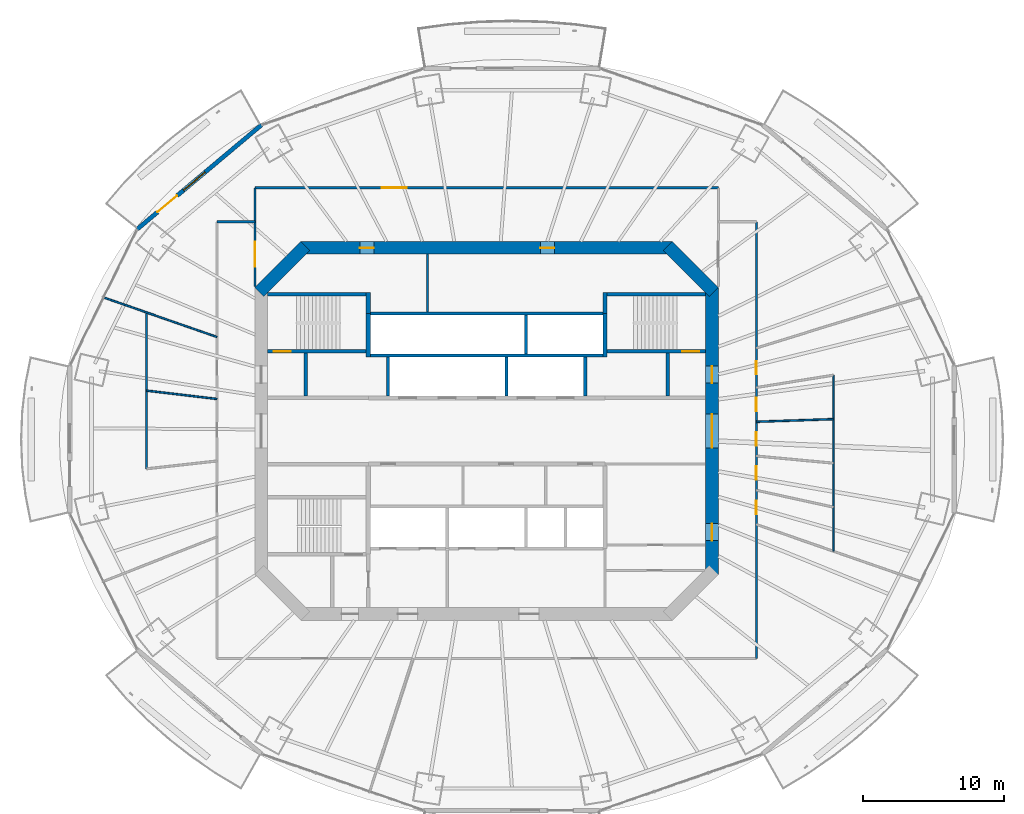
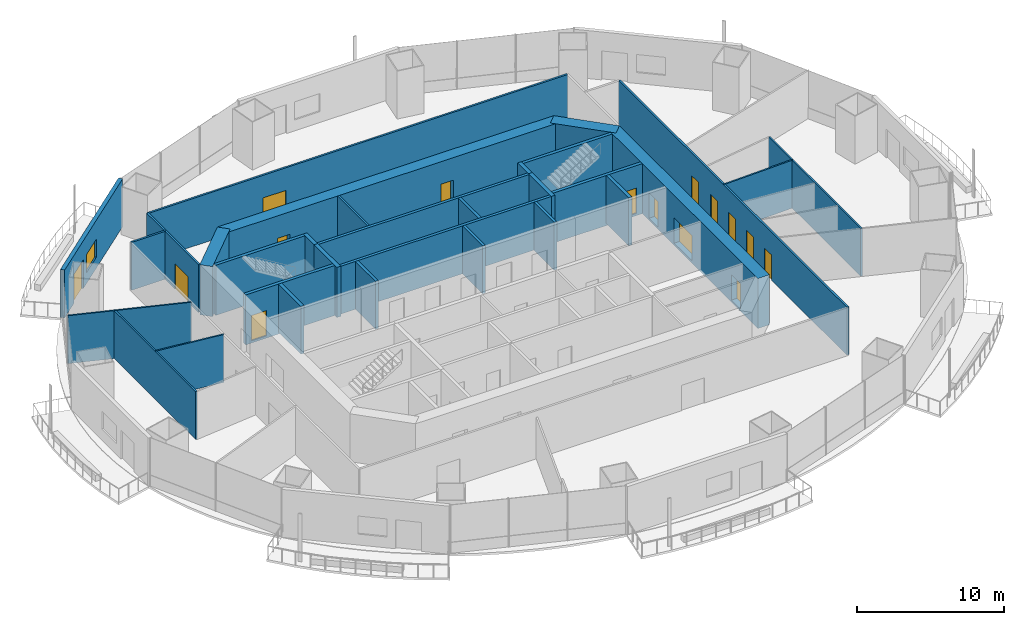
# One storey, part 13 of 20: 31 walls, 15 doors, 1 window, 16 openings.
"""IFC4 building model written with IfcOpenShell, lengths in metres."""

from ifc_helpers import new_model, si_unit, direction, frame, frame_2d, origin, place, context, subcontext, project, spatial, rectangle, extrude, material, layer, layer_set, type_object, element, fill, save


model = new_model("IFC4")

# Units and contexts
model_context = context("Model", 3, precision=1e-05, world=origin(), true_north=direction((0.0, 1.0)))
body_context = subcontext(model_context, "Body", "Model", "MODEL_VIEW")
ifc_project = project(units=[si_unit("LENGTHUNIT", "METRE"), si_unit("AREAUNIT", "SQUARE_METRE"), si_unit("VOLUMEUNIT", "CUBIC_METRE"), si_unit("PLANEANGLEUNIT", "RADIAN"), si_unit("MASSUNIT", "GRAM", prefix="KILO")], contexts=[model_context])

# Site, building, storey
site_placement = place(None, origin())
site = spatial("IfcSite", under=ifc_project, at=site_placement, CompositionType="ELEMENT")
building_placement = place(site_placement, origin())
building = spatial("IfcBuilding", under=site, at=building_placement, Name="Marenthal Gate Tower", CompositionType="ELEMENT")
storey_placement = place(building_placement, frame((0.0, 0.0, 190.10009765625)))
storey = spatial("IfcBuildingStorey", under=building, at=storey_placement, Name="L41", CompositionType="ELEMENT", Elevation=190.10009765625)

# Wall, openings, doors
ifc_material_1 = material(Name="Concrete 60 MPa", Category="concrete")
ifc_layer_1 = layer(ifc_material_1, 0.89990234375)
ifc_layer_set_1 = layer_set([ifc_layer_1], Name="Core shear wall 900")
wall_type_1 = type_object("IfcWallType", Name="Core shear wall 900", PredefinedType="SHEAR", material=ifc_layer_set_1)
wall_1_placement = place(storey_placement, frame((16.0, -10.186279296875, -0.18017578125), z_axis=(0.0, 0.0, 1.0), x_axis=(0.0, 1.0, 0.0)))
wall_1 = element("IfcWall", 1, at=wall_1_placement, inside=storey, type_object=wall_type_1, Name="Core wall 02", PredefinedType="SHEAR", context=body_context, shape_type="SweptSolid", body=[
    extrude(rectangle(XDim=20.37255859375, YDim=0.89990234375, at=frame_2d((10.186279296875, 0.0))), origin(), (0.0, 0.0, 1.0), 4.150146484375),
])
opening_1_placement = place(wall_1_placement, frame((8.986328125, 0.0, 0.179931640625)))
opening_1 = element("IfcOpeningElement", 2, at=opening_1_placement, cuts=wall_1, Name="Opening D003.02", PredefinedType="OPENING", context=body_context, shape_type="SweptSolid", body=[
    extrude(rectangle(XDim=2.39990234375, YDim=2.10009765625, at=frame_2d((1.199951171875, 1.050048828125))), frame((0.0, 0.4599609375, 0.0), z_axis=(0.0, -1.0, 0.0), x_axis=(1.0, 0.0, 0.0)), (0.0, 0.0, 1.0), 0.919921875),
])
opening_2_placement = place(wall_1_placement, frame((13.58642578125, 0.0, 0.179931640625)))
opening_2 = element("IfcOpeningElement", 3, at=opening_2_placement, cuts=wall_1, Name="Opening D001.05", PredefinedType="OPENING", context=body_context, shape_type="SweptSolid", body=[
    extrude(rectangle(XDim=1.199951171875, YDim=2.10009765625, at=frame_2d((0.60009765625, 1.050048828125))), frame((0.0, 0.4599609375, 0.0), z_axis=(0.0, -1.0, 0.0), x_axis=(1.0, 0.0, 0.0)), (0.0, 0.0, 1.0), 0.919921875),
])
opening_3_placement = place(wall_1_placement, frame((2.39990234375, 0.0, 0.179931640625)))
opening_3 = element("IfcOpeningElement", 4, at=opening_3_placement, cuts=wall_1, Name="Opening D006.01", PredefinedType="OPENING", context=body_context, shape_type="SweptSolid", body=[
    extrude(rectangle(XDim=1.199951171875, YDim=2.10009765625, at=frame_2d((0.60009765625, 1.050048828125))), frame((0.0, 0.4599609375, 0.0), z_axis=(0.0, -1.0, 0.0), x_axis=(1.0, 0.0, 0.0)), (0.0, 0.0, 1.0), 0.919921875),
])
ifc_material_2 = material(Name="Steel fire door", Category="steel")
door_type_1 = type_object("IfcDoorType", Name="Double fire door FD 45 2400 x 2100", OperationType="DOUBLE_DOOR_SINGLE_SWING", PredefinedType="DOOR", material=ifc_material_2)
door_1_placement = place(opening_1_placement, origin())
door_1 = element("IfcDoor", 5, at=door_1_placement, inside=storey, type_object=door_type_1, Name="Door D003.02", OperationType="DOUBLE_DOOR_SINGLE_SWING", OverallHeight=2.10009765625, OverallWidth=2.39990234375, PredefinedType="DOOR", context=body_context, shape_type="SweptSolid", body=[
    extrude(rectangle(XDim=2.39990234375, YDim=2.10009765625, at=frame_2d((1.199951171875, 1.050048828125))), frame((0.0, 0.02490234375, 0.0), z_axis=(0.0, -1.0, 0.0), x_axis=(1.0, 0.0, 0.0)), (0.0, 0.0, 1.0), 0.050048828125),
])
fill(opening_1, door_1)
ifc_material_3 = material(Name="Steel fire door", Category="steel")
door_type_2 = type_object("IfcDoorType", Name="Fire door FD 45 1200 x 2100", OperationType="NOTDEFINED", PredefinedType="DOOR", material=ifc_material_3)
door_2_placement = place(opening_3_placement, origin())
door_2 = element("IfcDoor", 6, at=door_2_placement, inside=storey, type_object=door_type_2, Name="Door D006.01", OperationType="SINGLE_SWING_RIGHT", OverallHeight=2.10009765625, OverallWidth=1.199951171875, PredefinedType="DOOR", context=body_context, shape_type="SweptSolid", body=[
    extrude(rectangle(XDim=1.199951171875, YDim=2.10009765625, at=frame_2d((0.60009765625, 1.050048828125))), frame((0.0, 0.02490234375, 0.0), z_axis=(0.0, -1.0, 0.0), x_axis=(1.0, 0.0, 0.0)), (0.0, 0.0, 1.0), 0.050048828125),
])
fill(opening_3, door_2)
ifc_material_4 = material(Name="Steel fire door", Category="steel")
door_type_3 = type_object("IfcDoorType", Name="Fire door FD 90 1200 x 2100", OperationType="NOTDEFINED", PredefinedType="DOOR", material=ifc_material_4)
door_3_placement = place(opening_2_placement, origin())
door_3 = element("IfcDoor", 7, at=door_3_placement, inside=storey, type_object=door_type_3, Name="Door D001.05", OperationType="SINGLE_SWING_RIGHT", OverallHeight=2.10009765625, OverallWidth=1.199951171875, PredefinedType="DOOR", context=body_context, shape_type="SweptSolid", body=[
    extrude(rectangle(XDim=1.199951171875, YDim=2.10009765625, at=frame_2d((0.60009765625, 1.050048828125))), frame((0.0, 0.02490234375, 0.0), z_axis=(0.0, -1.0, 0.0), x_axis=(1.0, 0.0, 0.0)), (0.0, 0.0, 1.0), 0.050048828125),
])
fill(opening_2, door_3)

# Wall
wall_2_placement = place(storey_placement, frame((16.1318359375, 9.8681640625, -0.18017578125), z_axis=(0.0, 0.0, 1.0), x_axis=(-0.707106781187, 0.707106781187, 0.0)))
element("IfcWall", 8, at=wall_2_placement, inside=storey, type_object=wall_type_1, Name="Core wall 03", PredefinedType="SHEAR", context=body_context, shape_type="SweptSolid", body=[
    extrude(rectangle(XDim=4.615478515625, YDim=0.89990234375, at=frame_2d((2.3076171875, 0.0))), origin(), (0.0, 0.0, 1.0), 4.150146484375),
])

# Wall, openings, doors
wall_3_placement = place(storey_placement, frame((13.186279296875, 13.0, -0.18017578125), z_axis=(0.0, 0.0, 1.0), x_axis=(-1.0, 0.0, 0.0)))
wall_3 = element("IfcWall", 9, at=wall_3_placement, inside=storey, type_object=wall_type_1, Name="Core wall 04", PredefinedType="SHEAR", context=body_context, shape_type="SweptSolid", body=[
    extrude(rectangle(XDim=26.37255859375, YDim=0.89990234375, at=frame_2d((13.186279296875, 0.0))), origin(), (0.0, 0.0, 1.0), 4.150146484375),
])
opening_4_placement = place(wall_3_placement, frame((21.193359375, 0.0, 0.179931640625)))
opening_4 = element("IfcOpeningElement", 10, at=opening_4_placement, cuts=wall_3, Name="Opening D005.04", PredefinedType="OPENING", context=body_context, shape_type="SweptSolid", body=[
    extrude(rectangle(XDim=1.0, YDim=2.10009765625, at=frame_2d((0.5, 1.050048828125))), frame((0.0, 0.4599609375, 0.0), z_axis=(0.0, -1.0, 0.0), x_axis=(1.0, 0.0, 0.0)), (0.0, 0.0, 1.0), 0.919921875),
])
opening_5_placement = place(wall_3_placement, frame((8.37939453125, 0.0, 0.179931640625)))
opening_5 = element("IfcOpeningElement", 11, at=opening_5_placement, cuts=wall_3, Name="Opening D005.05", PredefinedType="OPENING", context=body_context, shape_type="SweptSolid", body=[
    extrude(rectangle(XDim=1.0, YDim=2.10009765625, at=frame_2d((0.5, 1.050048828125))), frame((0.0, 0.4599609375, 0.0), z_axis=(0.0, -1.0, 0.0), x_axis=(1.0, 0.0, 0.0)), (0.0, 0.0, 1.0), 0.919921875),
])
ifc_material_5 = material(Name="Steel fire door", Category="steel")
door_type_4 = type_object("IfcDoorType", Name="Fire door FD 45 1000 x 2100", OperationType="NOTDEFINED", PredefinedType="DOOR", material=ifc_material_5)
door_4_placement = place(opening_4_placement, origin())
door_4 = element("IfcDoor", 12, at=door_4_placement, inside=storey, type_object=door_type_4, Name="Door D005.04", OperationType="SINGLE_SWING_RIGHT", OverallHeight=2.10009765625, OverallWidth=1.0, PredefinedType="DOOR", context=body_context, shape_type="SweptSolid", body=[
    extrude(rectangle(XDim=1.0, YDim=2.10009765625, at=frame_2d((0.5, 1.050048828125))), frame((0.0, 0.02490234375, 0.0), z_axis=(0.0, -1.0, 0.0), x_axis=(1.0, 0.0, 0.0)), (0.0, 0.0, 1.0), 0.050048828125),
])
fill(opening_4, door_4)
door_5_placement = place(opening_5_placement, origin())
door_5 = element("IfcDoor", 13, at=door_5_placement, inside=storey, type_object=door_type_4, Name="Door D005.05", OperationType="SINGLE_SWING_RIGHT", OverallHeight=2.10009765625, OverallWidth=1.0, PredefinedType="DOOR", context=body_context, shape_type="SweptSolid", body=[
    extrude(rectangle(XDim=1.0, YDim=2.10009765625, at=frame_2d((0.5, 1.050048828125))), frame((0.0, 0.02490234375, 0.0), z_axis=(0.0, -1.0, 0.0), x_axis=(1.0, 0.0, 0.0)), (0.0, 0.0, 1.0), 0.050048828125),
])
fill(opening_5, door_5)

# Walls
wall_4_placement = place(storey_placement, frame((-12.8681640625, 13.1318359375, -0.18017578125), z_axis=(0.0, 0.0, 1.0), x_axis=(-0.707106781187, -0.707106781187, 0.0)))
element("IfcWall", 14, at=wall_4_placement, inside=storey, type_object=wall_type_1, Name="Core wall 05", PredefinedType="SHEAR", context=body_context, shape_type="SweptSolid", body=[
    extrude(rectangle(XDim=4.615478515625, YDim=0.89990234375, at=frame_2d((2.3076171875, 0.0))), origin(), (0.0, 0.0, 1.0), 4.150146484375),
])
ifc_material_6 = material(Name="Concrete 50 MPa", Category="concrete")
ifc_layer_2 = layer(ifc_material_6, 0.300048828125)
ifc_layer_set_2 = layer_set([ifc_layer_2], Name="Hoistway shear wall 300")
wall_type_2 = type_object("IfcWallType", Name="Hoistway shear wall 300", PredefinedType="SHEAR", material=ifc_layer_set_2)
for number, where, z_axis, x_axis, name in (
    (15, (-8.39990234375, 5.239990234375, -0.18017578125), (0.0, 0.0, 1.0), (0.0, 1.0, 0.0), "Hoistway wall 32"),
    (16, (8.39990234375, 5.239990234375, -0.18017578125), (0.0, 0.0, 1.0), (0.0, 1.0, 0.0), "Hoistway wall 47"),
):
    element("IfcWall", number, at=place(storey_placement, frame(where, z_axis=z_axis, x_axis=x_axis)), inside=storey, type_object=wall_type_2, Name=name, PredefinedType="SHEAR", context=body_context, shape_type="SweptSolid", body=[
        extrude(rectangle(XDim=3.110107421875, YDim=0.300048828125, at=frame_2d((1.55517578125, 0.0))), origin(), (0.0, 0.0, 1.0), 4.150146484375),
    ])
ifc_material_7 = material(Name="Concrete 40 MPa", Category="concrete")
ifc_layer_3 = layer(ifc_material_7, 0.219970703125)
ifc_layer_set_3 = layer_set([ifc_layer_3], Name="Hoistway wall 220")
wall_type_3 = type_object("IfcWallType", Name="Hoistway wall 220", PredefinedType="STANDARD", material=ifc_layer_set_3)
for number, where, z_axis, x_axis, name in (
    (17, (-8.25, 5.35009765625, 0.0), (0.0, 0.0, 1.0), (1.0, 0.0, 0.0), "Hoistway wall 22"),
    (18, (-8.25, 8.35009765625, 0.0), (0.0, 0.0, 1.0), (1.0, 0.0, 0.0), "Hoistway wall 25"),
):
    element("IfcWall", number, at=place(storey_placement, frame(where, z_axis=z_axis, x_axis=x_axis)), inside=storey, type_object=wall_type_3, Name=name, PredefinedType="STANDARD", context=body_context, shape_type="SweptSolid", body=[
        extrude(rectangle(XDim=16.5, YDim=0.219970703125, at=frame_2d((8.25, 0.0))), origin(), (0.0, 0.0, 1.0), 3.969970703125),
    ])
for number, where, z_axis, x_axis, name in (
    (19, (-7.0, 2.5, 0.0), (0.0, 0.0, 1.0), (0.0, 1.0, 0.0), "Hoistway wall 34"),
    (20, (1.39990234375, 2.5, 0.0), (0.0, 0.0, 1.0), (0.0, 1.0, 0.0), "Hoistway wall 39"),
):
    element("IfcWall", number, at=place(storey_placement, frame(where, z_axis=z_axis, x_axis=x_axis)), inside=storey, type_object=wall_type_3, Name=name, PredefinedType="STANDARD", context=body_context, shape_type="SweptSolid", body=[
        extrude(rectangle(XDim=2.739990234375, YDim=0.219970703125, at=frame_2d((1.3701171875, 0.0))), origin(), (0.0, 0.0, 1.0), 3.969970703125),
    ])
wall_5_placement = place(storey_placement, frame((2.800048828125, 5.4599609375, 0.0), z_axis=(0.0, 0.0, 1.0), x_axis=(0.0, 1.0, 0.0)))
element("IfcWall", 21, at=wall_5_placement, inside=storey, type_object=wall_type_3, Name="Hoistway wall 41", PredefinedType="STANDARD", context=body_context, shape_type="SweptSolid", body=[
    extrude(rectangle(XDim=2.780029296875, YDim=0.219970703125, at=frame_2d((1.39013671875, 0.0))), origin(), (0.0, 0.0, 1.0), 3.969970703125),
])
wall_6_placement = place(storey_placement, frame((7.0, 2.5, 0.0), z_axis=(0.0, 0.0, 1.0), x_axis=(0.0, 1.0, 0.0)))
element("IfcWall", 22, at=wall_6_placement, inside=storey, type_object=wall_type_3, Name="Hoistway wall 44", PredefinedType="STANDARD", context=body_context, shape_type="SweptSolid", body=[
    extrude(rectangle(XDim=2.739990234375, YDim=0.219970703125, at=frame_2d((1.3701171875, 0.0))), origin(), (0.0, 0.0, 1.0), 3.969970703125),
])
ifc_material_8 = material(Name="Gypsum board on steel studs", Category="steel")
ifc_layer_4 = layer(ifc_material_8, 0.1201171875)
ifc_layer_set_4 = layer_set([ifc_layer_4], Name="Partition 120")
wall_type_4 = type_object("IfcWallType", Name="Partition 120", PredefinedType="PARTITIONING", material=ifc_layer_set_4)
wall_7_placement = place(storey_placement, frame((-24.14697265625, 2.864013671875, 0.0), z_axis=(0.0, 0.0, 1.0), x_axis=(0.993037544931, -0.117798278244, 0.0)))
element("IfcWall", 23, at=wall_7_placement, inside=storey, type_object=wall_type_4, Name="Partition wall 51", PredefinedType="PARTITIONING", context=body_context, shape_type="SweptSolid", body=[
    extrude(rectangle(XDim=5.0322265625, YDim=0.1201171875, at=frame_2d((2.51611328125, 0.0))), origin(), (0.0, 0.0, 1.0), 3.969970703125),
])
wall_8_placement = place(storey_placement, frame((-24.14697265625, 8.41455078125, 0.0), z_axis=(0.0, 0.0, 1.0), x_axis=(0.0, -1.0, 0.0)))
element("IfcWall", 24, at=wall_8_placement, inside=storey, type_object=wall_type_4, Name="Partition wall 52", PredefinedType="PARTITIONING", context=body_context, shape_type="SweptSolid", body=[
    extrude(rectangle(XDim=11.10107421875, YDim=0.1201171875, at=frame_2d((5.550537109375, 0.0))), origin(), (0.0, 0.0, 1.0), 3.969970703125),
])
wall_9_placement = place(storey_placement, frame((-19.14990234375, 6.673095703125, 0.0), z_axis=(0.0, 0.0, 1.0), x_axis=(-0.944308326955, 0.329061975382, 0.0)))
element("IfcWall", 25, at=wall_9_placement, inside=storey, type_object=wall_type_4, Name="Partition wall 55", PredefinedType="PARTITIONING", context=body_context, shape_type="SweptSolid", body=[
    extrude(rectangle(XDim=8.53515625, YDim=0.1201171875, at=frame_2d((4.267578125, 0.0))), origin(), (0.0, 0.0, 1.0), 3.969970703125),
])
wall_10_placement = place(storey_placement, frame((24.61865234375, -8.535400390625, 0.0), z_axis=(0.0, 0.0, 1.0), x_axis=(0.0, 1.0, 0.0)))
element("IfcWall", 26, at=wall_10_placement, inside=storey, type_object=wall_type_4, Name="Partition wall 66", PredefinedType="PARTITIONING", context=body_context, shape_type="SweptSolid", body=[
    extrude(rectangle(XDim=12.498779296875, YDim=0.1201171875, at=frame_2d((6.24951171875, 0.0))), origin(), (0.0, 0.0, 1.0), 3.969970703125),
])
wall_11_placement = place(storey_placement, frame((24.61865234375, 0.838623046875, 0.0), z_axis=(0.0, 0.0, 1.0), x_axis=(-0.99942037738, -0.034042756605, 0.0)))
element("IfcWall", 27, at=wall_11_placement, inside=storey, type_object=wall_type_4, Name="Partition wall 69", PredefinedType="PARTITIONING", context=body_context, shape_type="SweptSolid", body=[
    extrude(rectangle(XDim=5.471923828125, YDim=0.1201171875, at=frame_2d((2.73583984375, 0.0))), origin(), (0.0, 0.0, 1.0), 3.969970703125),
])
ifc_material_9 = material(Name="Gypsum board on steel studs", Category="steel")
ifc_layer_5 = layer(ifc_material_9, 0.14990234375)
ifc_layer_set_5 = layer_set([ifc_layer_5], Name="Partition 150")
wall_type_5 = type_object("IfcWallType", Name="Partition 150", PredefinedType="PARTITIONING", material=ifc_layer_set_5)
wall_12_placement = place(storey_placement, frame((-4.199951171875, 8.4599609375, 0.0), z_axis=(0.0, 0.0, 1.0), x_axis=(0.0, 1.0, 0.0)))
element("IfcWall", 28, at=wall_12_placement, inside=storey, type_object=wall_type_5, Name="Partition wall 35", PredefinedType="PARTITIONING", context=body_context, shape_type="SweptSolid", body=[
    extrude(rectangle(XDim=4.090087890625, YDim=0.14990234375, at=frame_2d((2.044921875, 0.0))), origin(), (0.0, 0.0, 1.0), 3.969970703125),
])
wall_13_placement = place(storey_placement, frame((-19.14990234375, 14.853759765625, 0.0), z_axis=(0.0, 0.0, 1.0), x_axis=(1.0, 0.0, 0.0)))
element("IfcWall", 29, at=wall_13_placement, inside=storey, type_object=wall_type_5, Name="Partition wall 56", PredefinedType="PARTITIONING", context=body_context, shape_type="SweptSolid", body=[
    extrude(rectangle(XDim=2.699951171875, YDim=0.14990234375, at=frame_2d((1.35009765625, 0.0))), origin(), (0.0, 0.0, 1.0), 3.969970703125),
])

# Wall, opening, door
wall_14_placement = place(storey_placement, frame((-16.449951171875, 10.25, 0.0), z_axis=(0.0, 0.0, 1.0), x_axis=(0.0, 1.0, 0.0)))
wall_14 = element("IfcWall", 30, at=wall_14_placement, inside=storey, type_object=wall_type_5, Name="Partition wall 57", PredefinedType="PARTITIONING", context=body_context, shape_type="SweptSolid", body=[
    extrude(rectangle(XDim=7.01611328125, YDim=0.14990234375, at=frame_2d((3.508056640625, 0.0))), origin(), (0.0, 0.0, 1.0), 3.969970703125),
])
opening_6_placement = place(wall_14_placement, frame((1.402099609375, 0.0, 0.0)))
opening_6 = element("IfcOpeningElement", 31, at=opening_6_placement, cuts=wall_14, Name="Opening D014.05", PredefinedType="OPENING", context=body_context, shape_type="SweptSolid", body=[
    extrude(rectangle(XDim=1.800048828125, YDim=2.10009765625, at=frame_2d((0.89990234375, 1.050048828125))), frame((0.0, 0.0849609375, 0.0), z_axis=(0.0, -1.0, 0.0), x_axis=(1.0, 0.0, 0.0)), (0.0, 0.0, 1.0), 0.169921875),
])
ifc_material_10 = material(Name="Timber door", Category="wood")
door_type_5 = type_object("IfcDoorType", Name="Double door 1800 x 2100", OperationType="DOUBLE_DOOR_SINGLE_SWING", PredefinedType="DOOR", material=ifc_material_10)
door_6_placement = place(opening_6_placement, origin())
door_6 = element("IfcDoor", 32, at=door_6_placement, inside=storey, type_object=door_type_5, Name="Door D014.05", OperationType="DOUBLE_DOOR_SINGLE_SWING", OverallHeight=2.10009765625, OverallWidth=1.800048828125, PredefinedType="DOOR", context=body_context, shape_type="SweptSolid", body=[
    extrude(rectangle(XDim=1.800048828125, YDim=2.10009765625, at=frame_2d((0.89990234375, 1.050048828125))), frame((0.0, 0.02490234375, 0.0), z_axis=(0.0, -1.0, 0.0), x_axis=(1.0, 0.0, 0.0)), (0.0, 0.0, 1.0), 0.050048828125),
])
fill(opening_6, door_6)

wall_15_placement = place(storey_placement, frame((-16.449951171875, 17.26611328125, 0.0), z_axis=(0.0, 0.0, 1.0), x_axis=(1.0, 0.0, 0.0)))
wall_15 = element("IfcWall", 33, at=wall_15_placement, inside=storey, type_object=wall_type_5, Name="Partition wall 58", PredefinedType="PARTITIONING", context=body_context, shape_type="SweptSolid", body=[
    extrude(rectangle(XDim=32.89990234375, YDim=0.14990234375, at=frame_2d((16.449951171875, 0.0))), origin(), (0.0, 0.0, 1.0), 3.969970703125),
])
opening_7_placement = place(wall_15_placement, frame((8.985107421875, 0.0, 0.0)))
opening_7 = element("IfcOpeningElement", 34, at=opening_7_placement, cuts=wall_15, Name="Opening D014.01", PredefinedType="OPENING", context=body_context, shape_type="SweptSolid", body=[
    extrude(rectangle(XDim=1.800048828125, YDim=2.10009765625, at=frame_2d((0.89990234375, 1.050048828125))), frame((0.0, 0.0849609375, 0.0), z_axis=(0.0, -1.0, 0.0), x_axis=(1.0, 0.0, 0.0)), (0.0, 0.0, 1.0), 0.169921875),
])
door_7_placement = place(opening_7_placement, origin())
door_7 = element("IfcDoor", 35, at=door_7_placement, inside=storey, type_object=door_type_5, Name="Door D014.01", OperationType="DOUBLE_DOOR_SINGLE_SWING", OverallHeight=2.10009765625, OverallWidth=1.800048828125, PredefinedType="DOOR", context=body_context, shape_type="SweptSolid", body=[
    extrude(rectangle(XDim=1.800048828125, YDim=2.10009765625, at=frame_2d((0.89990234375, 1.050048828125))), frame((0.0, 0.02490234375, 0.0), z_axis=(0.0, -1.0, 0.0), x_axis=(1.0, 0.0, 0.0)), (0.0, 0.0, 1.0), 0.050048828125),
])
fill(opening_7, door_7)

# Wall, openings, doors
wall_16_placement = place(storey_placement, frame((19.14990234375, 14.853759765625, 0.0), z_axis=(0.0, 0.0, 1.0), x_axis=(0.0, -1.0, 0.0)))
wall_16 = element("IfcWall", 36, at=wall_16_placement, inside=storey, type_object=wall_type_5, Name="Partition wall 65", PredefinedType="PARTITIONING", context=body_context, shape_type="SweptSolid", body=[
    extrude(rectangle(XDim=31.003662109375, YDim=0.14990234375, at=frame_2d((15.501953125, 0.0))), origin(), (0.0, 0.0, 1.0), 3.969970703125),
])
opening_8_placement = place(wall_16_placement, frame((19.802978515625, 0.0, 0.0)))
opening_8 = element("IfcOpeningElement", 37, at=opening_8_placement, cuts=wall_16, Name="Opening D016.03", PredefinedType="OPENING", context=body_context, shape_type="SweptSolid", body=[
    extrude(rectangle(XDim=0.949951171875, YDim=2.10009765625, at=frame_2d((0.47509765625, 1.050048828125))), frame((0.0, 0.0849609375, 0.0), z_axis=(0.0, -1.0, 0.0), x_axis=(1.0, 0.0, 0.0)), (0.0, 0.0, 1.0), 0.169921875),
])
opening_9_placement = place(wall_16_placement, frame((17.3720703125, 0.0, 0.0)))
opening_9 = element("IfcOpeningElement", 38, at=opening_9_placement, cuts=wall_16, Name="Opening D016.04", PredefinedType="OPENING", context=body_context, shape_type="SweptSolid", body=[
    extrude(rectangle(XDim=0.949951171875, YDim=2.10009765625, at=frame_2d((0.47509765625, 1.050048828125))), frame((0.0, 0.0849609375, 0.0), z_axis=(0.0, -1.0, 0.0), x_axis=(1.0, 0.0, 0.0)), (0.0, 0.0, 1.0), 0.169921875),
])
opening_10_placement = place(wall_16_placement, frame((14.94189453125, 0.0, 0.0)))
opening_10 = element("IfcOpeningElement", 39, at=opening_10_placement, cuts=wall_16, Name="Opening D016.05", PredefinedType="OPENING", context=body_context, shape_type="SweptSolid", body=[
    extrude(rectangle(XDim=0.949951171875, YDim=2.10009765625, at=frame_2d((0.47509765625, 1.050048828125))), frame((0.0, 0.0849609375, 0.0), z_axis=(0.0, -1.0, 0.0), x_axis=(1.0, 0.0, 0.0)), (0.0, 0.0, 1.0), 0.169921875),
])
opening_11_placement = place(wall_16_placement, frame((12.510986328125, 0.0, 0.0)))
opening_11 = element("IfcOpeningElement", 40, at=opening_11_placement, cuts=wall_16, Name="Opening D016.06", PredefinedType="OPENING", context=body_context, shape_type="SweptSolid", body=[
    extrude(rectangle(XDim=0.949951171875, YDim=2.10009765625, at=frame_2d((0.47509765625, 1.050048828125))), frame((0.0, 0.0849609375, 0.0), z_axis=(0.0, -1.0, 0.0), x_axis=(1.0, 0.0, 0.0)), (0.0, 0.0, 1.0), 0.169921875),
])
opening_12_placement = place(wall_16_placement, frame((9.89111328125, 0.0, 0.0)))
opening_12 = element("IfcOpeningElement", 41, at=opening_12_placement, cuts=wall_16, Name="Opening D016.07", PredefinedType="OPENING", context=body_context, shape_type="SweptSolid", body=[
    extrude(rectangle(XDim=0.949951171875, YDim=2.10009765625, at=frame_2d((0.47509765625, 1.050048828125))), frame((0.0, 0.0849609375, 0.0), z_axis=(0.0, -1.0, 0.0), x_axis=(1.0, 0.0, 0.0)), (0.0, 0.0, 1.0), 0.169921875),
])
ifc_material_11 = material(Name="Timber door", Category="wood")
door_type_6 = type_object("IfcDoorType", Name="Door 950 x 2100", OperationType="NOTDEFINED", PredefinedType="DOOR", material=ifc_material_11)
door_8_placement = place(opening_8_placement, origin())
door_8 = element("IfcDoor", 42, at=door_8_placement, inside=storey, type_object=door_type_6, Name="Door D016.03", OperationType="SINGLE_SWING_RIGHT", OverallHeight=2.10009765625, OverallWidth=0.949951171875, PredefinedType="DOOR", context=body_context, shape_type="SweptSolid", body=[
    extrude(rectangle(XDim=0.949951171875, YDim=2.10009765625, at=frame_2d((0.47509765625, 1.050048828125))), frame((0.0, 0.02490234375, 0.0), z_axis=(0.0, -1.0, 0.0), x_axis=(1.0, 0.0, 0.0)), (0.0, 0.0, 1.0), 0.050048828125),
])
fill(opening_8, door_8)
door_9_placement = place(opening_9_placement, origin())
door_9 = element("IfcDoor", 43, at=door_9_placement, inside=storey, type_object=door_type_6, Name="Door D016.04", OperationType="SINGLE_SWING_RIGHT", OverallHeight=2.10009765625, OverallWidth=0.949951171875, PredefinedType="DOOR", context=body_context, shape_type="SweptSolid", body=[
    extrude(rectangle(XDim=0.949951171875, YDim=2.10009765625, at=frame_2d((0.47509765625, 1.050048828125))), frame((0.0, 0.02490234375, 0.0), z_axis=(0.0, -1.0, 0.0), x_axis=(1.0, 0.0, 0.0)), (0.0, 0.0, 1.0), 0.050048828125),
])
fill(opening_9, door_9)
door_10_placement = place(opening_10_placement, origin())
door_10 = element("IfcDoor", 44, at=door_10_placement, inside=storey, type_object=door_type_6, Name="Door D016.05", OperationType="SINGLE_SWING_RIGHT", OverallHeight=2.10009765625, OverallWidth=0.949951171875, PredefinedType="DOOR", context=body_context, shape_type="SweptSolid", body=[
    extrude(rectangle(XDim=0.949951171875, YDim=2.10009765625, at=frame_2d((0.47509765625, 1.050048828125))), frame((0.0, 0.02490234375, 0.0), z_axis=(0.0, -1.0, 0.0), x_axis=(1.0, 0.0, 0.0)), (0.0, 0.0, 1.0), 0.050048828125),
])
fill(opening_10, door_10)
door_11_placement = place(opening_11_placement, origin())
door_11 = element("IfcDoor", 45, at=door_11_placement, inside=storey, type_object=door_type_6, Name="Door D016.06", OperationType="SINGLE_SWING_RIGHT", OverallHeight=2.10009765625, OverallWidth=0.949951171875, PredefinedType="DOOR", context=body_context, shape_type="SweptSolid", body=[
    extrude(rectangle(XDim=0.949951171875, YDim=2.10009765625, at=frame_2d((0.47509765625, 1.050048828125))), frame((0.0, 0.02490234375, 0.0), z_axis=(0.0, -1.0, 0.0), x_axis=(1.0, 0.0, 0.0)), (0.0, 0.0, 1.0), 0.050048828125),
])
fill(opening_11, door_11)
door_12_placement = place(opening_12_placement, origin())
door_12 = element("IfcDoor", 46, at=door_12_placement, inside=storey, type_object=door_type_6, Name="Door D016.07", OperationType="SINGLE_SWING_RIGHT", OverallHeight=2.10009765625, OverallWidth=0.949951171875, PredefinedType="DOOR", context=body_context, shape_type="SweptSolid", body=[
    extrude(rectangle(XDim=0.949951171875, YDim=2.10009765625, at=frame_2d((0.47509765625, 1.050048828125))), frame((0.0, 0.02490234375, 0.0), z_axis=(0.0, -1.0, 0.0), x_axis=(1.0, 0.0, 0.0)), (0.0, 0.0, 1.0), 0.050048828125),
])
fill(opening_12, door_12)

# Walls
ifc_material_12 = material(Name="Concrete 40 MPa", Category="concrete")
ifc_layer_6 = layer(ifc_material_12, 0.25)
ifc_layer_set_6 = layer_set([ifc_layer_6], Name="Stair enclosure wall 250")
wall_type_6 = type_object("IfcWallType", Name="Stair enclosure wall 250", PredefinedType="STANDARD", material=ifc_layer_set_6)
for number, where, z_axis, x_axis, name in (
    (47, (-12.85009765625, 2.47509765625, 0.0), (0.0, 0.0, 1.0), (0.0, 1.0, 0.0), "Stair wall 28"),
    (48, (12.85009765625, 2.47509765625, 0.0), (0.0, 0.0, 1.0), (0.0, 1.0, 0.0), "Stair wall 49"),
):
    element("IfcWall", number, at=place(storey_placement, frame(where, z_axis=z_axis, x_axis=x_axis)), inside=storey, type_object=wall_type_6, Name=name, PredefinedType="STANDARD", context=body_context, shape_type="SweptSolid", body=[
        extrude(rectangle(XDim=3.0498046875, YDim=0.25, at=frame_2d((1.52490234375, 0.0))), origin(), (0.0, 0.0, 1.0), 3.969970703125),
    ])

# Wall, opening, door
ifc_material_13 = material(Name="Concrete 50 MPa", Category="concrete")
ifc_layer_7 = layer(ifc_material_13, 0.25)
ifc_layer_set_7 = layer_set([ifc_layer_7], Name="Stair shear wall 250")
wall_type_7 = type_object("IfcWallType", Name="Stair shear wall 250", PredefinedType="SHEAR", material=ifc_layer_set_7)
wall_17_placement = place(storey_placement, frame((-15.550048828125, 5.64990234375, -0.18017578125), z_axis=(0.0, 0.0, 1.0), x_axis=(1.0, 0.0, 0.0)))
wall_17 = element("IfcWall", 49, at=wall_17_placement, inside=storey, type_object=wall_type_7, Name="Stair wall 23", PredefinedType="SHEAR", context=body_context, shape_type="SweptSolid", body=[
    extrude(rectangle(XDim=7.0, YDim=0.25, at=frame_2d((3.5, 0.0))), origin(), (0.0, 0.0, 1.0), 4.150146484375),
])
opening_13_placement = place(wall_17_placement, frame((0.449951171875, 0.0, 0.179931640625)))
opening_13 = element("IfcOpeningElement", 50, at=opening_13_placement, cuts=wall_17, Name="Opening D001.01", PredefinedType="OPENING", context=body_context, shape_type="SweptSolid", body=[
    extrude(rectangle(XDim=1.199951171875, YDim=2.10009765625, at=frame_2d((0.60009765625, 1.050048828125))), frame((0.0, 0.135009765625, 0.0), z_axis=(0.0, -1.0, 0.0), x_axis=(1.0, 0.0, 0.0)), (0.0, 0.0, 1.0), 0.27001953125),
])
door_13_placement = place(opening_13_placement, origin())
door_13 = element("IfcDoor", 51, at=door_13_placement, inside=storey, type_object=door_type_3, Name="Door D001.01", OperationType="SINGLE_SWING_RIGHT", OverallHeight=2.10009765625, OverallWidth=1.199951171875, PredefinedType="DOOR", context=body_context, shape_type="SweptSolid", body=[
    extrude(rectangle(XDim=1.199951171875, YDim=2.10009765625, at=frame_2d((0.60009765625, 1.050048828125))), frame((0.0, 0.02490234375, 0.0), z_axis=(0.0, -1.0, 0.0), x_axis=(1.0, 0.0, 0.0)), (0.0, 0.0, 1.0), 0.050048828125),
])
fill(opening_13, door_13)

wall_18_placement = place(storey_placement, frame((8.550048828125, 5.64990234375, -0.18017578125), z_axis=(0.0, 0.0, 1.0), x_axis=(1.0, 0.0, 0.0)))
wall_18 = element("IfcWall", 52, at=wall_18_placement, inside=storey, type_object=wall_type_7, Name="Stair wall 24", PredefinedType="SHEAR", context=body_context, shape_type="SweptSolid", body=[
    extrude(rectangle(XDim=7.0, YDim=0.25, at=frame_2d((3.5, 0.0))), origin(), (0.0, 0.0, 1.0), 4.150146484375),
])
opening_14_placement = place(wall_18_placement, frame((5.35009765625, 0.0, 0.179931640625)))
opening_14 = element("IfcOpeningElement", 53, at=opening_14_placement, cuts=wall_18, Name="Opening D001.02", PredefinedType="OPENING", context=body_context, shape_type="SweptSolid", body=[
    extrude(rectangle(XDim=1.199951171875, YDim=2.10009765625, at=frame_2d((0.60009765625, 1.050048828125))), frame((0.0, 0.135009765625, 0.0), z_axis=(0.0, -1.0, 0.0), x_axis=(1.0, 0.0, 0.0)), (0.0, 0.0, 1.0), 0.27001953125),
])
door_14_placement = place(opening_14_placement, origin())
door_14 = element("IfcDoor", 54, at=door_14_placement, inside=storey, type_object=door_type_3, Name="Door D001.02", OperationType="SINGLE_SWING_RIGHT", OverallHeight=2.10009765625, OverallWidth=1.199951171875, PredefinedType="DOOR", context=body_context, shape_type="SweptSolid", body=[
    extrude(rectangle(XDim=1.199951171875, YDim=2.10009765625, at=frame_2d((0.60009765625, 1.050048828125))), frame((0.0, 0.02490234375, 0.0), z_axis=(0.0, -1.0, 0.0), x_axis=(1.0, 0.0, 0.0)), (0.0, 0.0, 1.0), 0.050048828125),
])
fill(opening_14, door_14)

# Walls
for number, where, z_axis, x_axis, name in (
    (55, (-15.550048828125, 9.699951171875, -0.18017578125), (0.0, 0.0, 1.0), (1.0, 0.0, 0.0), "Stair wall 26"),
    (56, (8.550048828125, 9.699951171875, -0.18017578125), (0.0, 0.0, 1.0), (1.0, 0.0, 0.0), "Stair wall 27"),
):
    element("IfcWall", number, at=place(storey_placement, frame(where, z_axis=z_axis, x_axis=x_axis)), inside=storey, type_object=wall_type_7, Name=name, PredefinedType="SHEAR", context=body_context, shape_type="SweptSolid", body=[
        extrude(rectangle(XDim=7.0, YDim=0.25, at=frame_2d((3.5, 0.0))), origin(), (0.0, 0.0, 1.0), 4.150146484375),
    ])
ifc_material_14 = material(Name="Concrete 50 MPa", Category="concrete")
ifc_layer_8 = layer(ifc_material_14, 0.300048828125)
ifc_layer_set_8 = layer_set([ifc_layer_8], Name="Stair shear wall 300")
wall_type_8 = type_object("IfcWallType", Name="Stair shear wall 300", PredefinedType="SHEAR", material=ifc_layer_set_8)
for number, where, z_axis, x_axis, name in (
    (57, (-8.39990234375, 8.35009765625, -0.18017578125), (0.0, 0.0, 1.0), (0.0, 1.0, 0.0), "Stair wall 33"),
    (58, (8.39990234375, 8.35009765625, -0.18017578125), (0.0, 0.0, 1.0), (0.0, 1.0, 0.0), "Stair wall 48"),
):
    element("IfcWall", number, at=place(storey_placement, frame(where, z_axis=z_axis, x_axis=x_axis)), inside=storey, type_object=wall_type_8, Name=name, PredefinedType="SHEAR", context=body_context, shape_type="SweptSolid", body=[
        extrude(rectangle(XDim=1.474853515625, YDim=0.300048828125, at=frame_2d((0.7373046875, 0.0))), origin(), (0.0, 0.0, 1.0), 4.150146484375),
    ])

# Wall, openings, door, window
ifc_material_15 = material(Name="Terracotta cladding on insulated concrete-block backing", Category="masonry")
ifc_layer_9 = layer(ifc_material_15, 0.300048828125)
ifc_layer_set_9 = layer_set([ifc_layer_9], Name="Terracotta facade wall 300")
wall_type_9 = type_object("IfcWallType", Name="Terracotta facade wall 300", PredefinedType="SOLIDWALL", material=ifc_layer_set_9)
wall_19_placement = place(storey_placement, frame((-15.986572265625, 21.734130859375, 0.0), z_axis=(0.0, 0.0, 1.0), x_axis=(-0.766082233378, -0.642742570321, 0.0)))
wall_19 = element("IfcWall", 59, at=wall_19_placement, inside=storey, type_object=wall_type_9, Name="Terracotta facade wall L41 bay 6", PredefinedType="SOLIDWALL", context=body_context, shape_type="SweptSolid", body=[
    extrude(rectangle(XDim=11.530029296875, YDim=0.300048828125, at=frame_2d((5.76513671875, 0.0))), origin(), (0.0, 0.0, 1.0), 3.969970703125),
])
opening_15_placement = place(wall_19_placement, frame((7.830078125, 0.0, 0.0)))
opening_15 = element("IfcOpeningElement", 60, at=opening_15_placement, cuts=wall_19, Name="Opening BD-L41-06", PredefinedType="OPENING", context=body_context, shape_type="SweptSolid", body=[
    extrude(rectangle(XDim=1.800048828125, YDim=2.39990234375, at=frame_2d((0.89990234375, 1.199951171875))), frame((0.0, 0.16015625, 0.0), z_axis=(0.0, -1.0, 0.0), x_axis=(1.0, 0.0, 0.0)), (0.0, 0.0, 1.0), 0.320068359375),
])
opening_16_placement = place(wall_19_placement, frame((5.22998046875, 0.0, 0.89990234375)))
opening_16 = element("IfcOpeningElement", 61, at=opening_16_placement, cuts=wall_19, Name="Opening WN2-L41-06", PredefinedType="OPENING", context=body_context, shape_type="SweptSolid", body=[
    extrude(rectangle(XDim=2.0, YDim=1.5, at=frame_2d((1.0, 0.75))), frame((0.0, 0.16015625, 0.0), z_axis=(0.0, -1.0, 0.0), x_axis=(1.0, 0.0, 0.0)), (0.0, 0.0, 1.0), 0.320068359375),
])
ifc_material_16 = material(Name="Aluminium and glass", Category="aluminium")
door_type_7 = type_object("IfcDoorType", Name="Balcony door 1800x2400", OperationType="DOUBLE_DOOR_SINGLE_SWING", PredefinedType="DOOR", material=ifc_material_16)
door_15_placement = place(opening_15_placement, origin())
door_15 = element("IfcDoor", 62, at=door_15_placement, inside=storey, type_object=door_type_7, Name="Balcony door L41 bay 6", OperationType="SINGLE_SWING_LEFT", OverallHeight=2.39990234375, OverallWidth=1.800048828125, PredefinedType="DOOR", context=body_context, shape_type="SweptSolid", body=[
    extrude(rectangle(XDim=1.800048828125, YDim=2.39990234375, at=frame_2d((0.89990234375, 1.199951171875))), frame((0.0, 0.02490234375, 0.0), z_axis=(0.0, -1.0, 0.0), x_axis=(1.0, 0.0, 0.0)), (0.0, 0.0, 1.0), 0.050048828125),
])
fill(opening_15, door_15)
ifc_material_17 = material(Name="Aluminium and glass", Category="aluminium")
window_type = type_object("IfcWindowType", Name="Window 2000x1500", PartitioningType="DOUBLE_PANEL_VERTICAL", PredefinedType="WINDOW", material=ifc_material_17)
window_placement = place(opening_16_placement, origin())
window = element("IfcWindow", 63, at=window_placement, inside=storey, type_object=window_type, Name="Window L41 bay 6", OverallHeight=1.5, OverallWidth=2.0, PartitioningType="SINGLE_PANEL", PredefinedType="WINDOW", context=body_context, shape_type="SweptSolid", body=[
    extrude(rectangle(XDim=2.0, YDim=1.5, at=frame_2d((1.0, 0.75))), frame((0.0, 0.030029296875, 0.0), z_axis=(0.0, -1.0, 0.0), x_axis=(1.0, 0.0, 0.0)), (0.0, 0.0, 1.0), 0.06005859375),
])
fill(opening_16, window)

save(model, "model.ifc")
